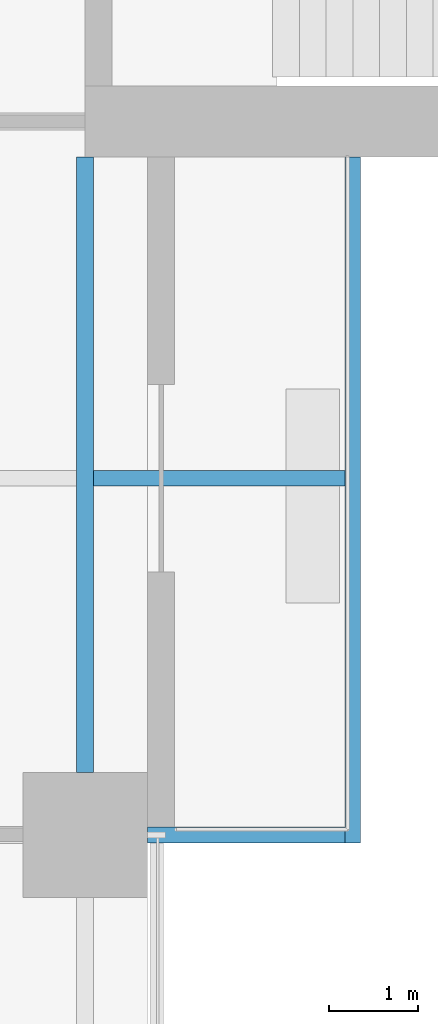
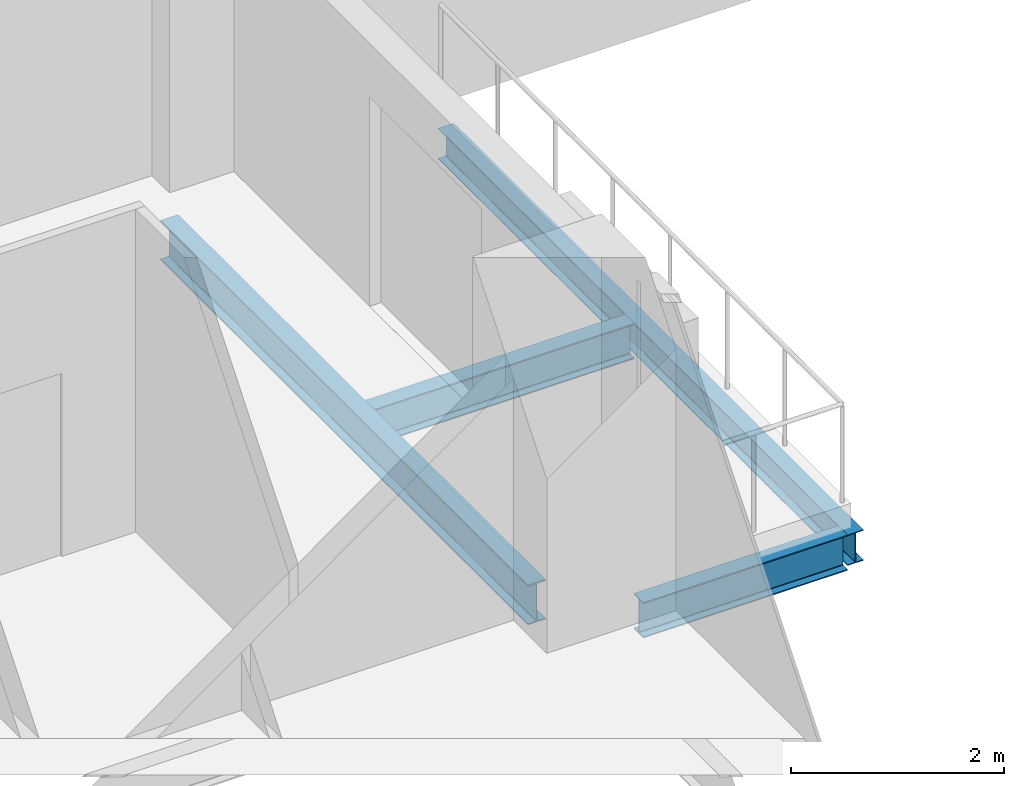
# One storey, part 5 of 29: 4 beams.
"""IFC4 building model written with IfcOpenShell, lengths in metres."""

from ifc_helpers import new_model, si_unit, direction, frame, origin, origin_2d, place, context, subcontext, project, spatial, i_section, extrude, material, material_profile, profile_set, type_object, element, save


model = new_model("IFC4")

# Units and contexts
model_context = context("Model", 3, precision=1e-05, world=origin(), true_north=direction((0.0, 1.0)))
body_context = subcontext(model_context, "Body", "Model", "MODEL_VIEW")
ifc_project = project(units=[si_unit("LENGTHUNIT", "METRE"), si_unit("AREAUNIT", "SQUARE_METRE"), si_unit("VOLUMEUNIT", "CUBIC_METRE"), si_unit("PLANEANGLEUNIT", "RADIAN"), si_unit("MASSUNIT", "GRAM", prefix="KILO")], contexts=[model_context])

# Site, building, storey
site_placement = place(None, origin())
site = spatial("IfcSite", under=ifc_project, at=site_placement, CompositionType="ELEMENT")
building_placement = place(site_placement, origin())
building = spatial("IfcBuilding", under=site, at=building_placement, Name="Crosswind Convention Tower", CompositionType="ELEMENT")
storey_placement = place(building_placement, frame((0.0, 0.0, 57.199951171875)))
storey = spatial("IfcBuildingStorey", under=building, at=storey_placement, Name="L08", CompositionType="ELEMENT", Elevation=57.199951171875)

# Beams
ifc_material = material(Name="Steel S355", Category="steel")
ifc_material_profile_1 = material_profile(ifc_material, i_section(OverallWidth=0.177734375, OverallDepth=0.406494140625, WebThickness=0.0078125, FlangeThickness=0.0126953125, FilletRadius=0.01025390625, at=origin_2d()), Name="UB 406x178x60")
ifc_profile_set_1 = profile_set([ifc_material_profile_1], Name="Steel S355")
beam_type_1 = type_object("IfcBeamType", Name="Balcony cantilever UB 406x178x60", PredefinedType="BEAM", material=ifc_profile_set_1)
beam_1_placement = place(storey_placement, frame((137.09521484375, 84.0, -0.483154296875), z_axis=(1.0, 0.0, 0.0), x_axis=(0.0, 1.0, 0.0)))
element("IfcBeam", 1, at=beam_1_placement, inside=storey, type_object=beam_type_1, Name="B35 L08 balcony cantilever SE 10", PredefinedType="BEAM", context=body_context, shape_type="SweptSolid", body=[
    extrude(i_section(OverallWidth=0.177734375, OverallDepth=0.406494140625, WebThickness=0.0078125, FlangeThickness=0.0126953125, FilletRadius=0.01025390625, at=origin_2d()), origin(), (0.0, 0.0, 1.0), 2.8193359375),
])
beam_2_placement = place(storey_placement, frame((137.699951171875, 80.0, -0.483154296875), z_axis=(1.0, 0.0, 0.0), x_axis=(0.0, 1.0, 0.0)))
element("IfcBeam", 2, at=beam_2_placement, inside=storey, type_object=beam_type_1, Name="B35 L08 balcony cantilever SE 11", PredefinedType="BEAM", context=body_context, shape_type="SweptSolid", body=[
    extrude(i_section(OverallWidth=0.177734375, OverallDepth=0.406494140625, WebThickness=0.0078125, FlangeThickness=0.0126953125, FilletRadius=0.01025390625, at=origin_2d()), origin(), (0.0, 0.0, 1.0), 2.214599609375),
])
ifc_material_profile_2 = material_profile(ifc_material, i_section(OverallWidth=0.1708984375, OverallDepth=0.35205078125, WebThickness=0.0068359375, FlangeThickness=0.009765625, FilletRadius=0.01025390625, at=origin_2d()), Name="UB 356x171x45")
ifc_profile_set_2 = profile_set([ifc_material_profile_2], Name="Steel S355")
beam_type_2 = type_object("IfcBeamType", Name="Balcony edge beam UB 356x171x45", PredefinedType="BEAM", material=ifc_profile_set_2)
beam_3_placement = place(storey_placement, frame((140.0, 87.60009765625, -0.4560546875), z_axis=(0.0, -1.0, 0.0), x_axis=(1.0, 0.0, 0.0)))
element("IfcBeam", 3, at=beam_3_placement, inside=storey, type_object=beam_type_2, Name="B37 L08 balcony edge beam SE 12", PredefinedType="BEAM", context=body_context, shape_type="SweptSolid", body=[
    extrude(i_section(OverallWidth=0.1708984375, OverallDepth=0.35205078125, WebThickness=0.0068359375, FlangeThickness=0.009765625, FilletRadius=0.01025390625, at=origin_2d()), origin(), (0.0, 0.0, 1.0), 7.68896484375),
])
ifc_material_profile_3 = material_profile(ifc_material, i_section(OverallWidth=0.1904296875, OverallDepth=0.457275390625, WebThickness=0.009033203125, FlangeThickness=0.014404296875, FilletRadius=0.01025390625, at=origin_2d()), Name="UB 457x191x75")
ifc_profile_set_3 = profile_set([ifc_material_profile_3], Name="Steel S355")
beam_type_3 = type_object("IfcBeamType", Name="Edge beam UB 457x191x75", PredefinedType="SPANDREL", material=ifc_profile_set_3)
beam_4_placement = place(storey_placement, frame((137.0, 80.699951171875, -0.508544921875), z_axis=(0.0, 1.0, 0.0), x_axis=(-1.0, 0.0, 0.0)))
element("IfcBeam", 4, at=beam_4_placement, inside=storey, type_object=beam_type_3, Name="B17 L08 edge beam 20", PredefinedType="SPANDREL", context=body_context, shape_type="SweptSolid", body=[
    extrude(i_section(OverallWidth=0.1904296875, OverallDepth=0.457275390625, WebThickness=0.009033203125, FlangeThickness=0.014404296875, FilletRadius=0.01025390625, at=origin_2d()), origin(), (0.0, 0.0, 1.0), 6.900146484375),
])

save(model, "model.ifc")
